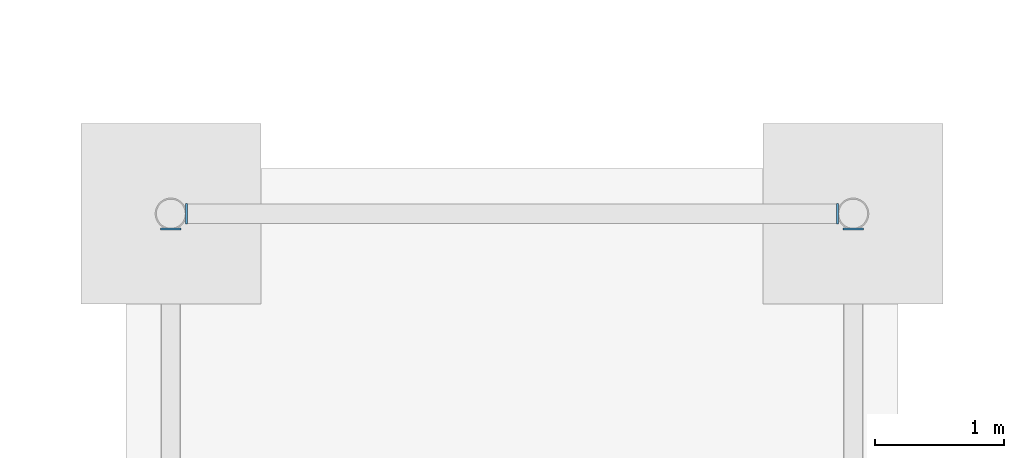
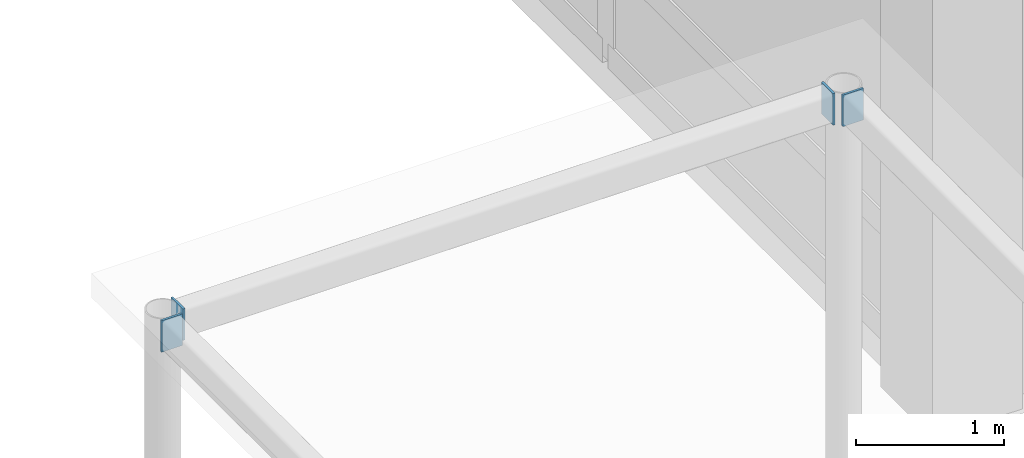
# One storey, part 42 of 76: 4 plates.
"""IFC4 building model written with IfcOpenShell, lengths in metres."""

from ifc_helpers import new_model, si_unit, direction, frame, origin, origin_2d, place, context, subcontext, project, spatial, rectangle, extrude, material, layer, layer_set, type_object, element, save


model = new_model("IFC4")

# Units and contexts
model_context = context("Model", 3, precision=1e-05, world=origin(), true_north=direction((0.0, 1.0)))
body_context = subcontext(model_context, "Body", "Model", "MODEL_VIEW")
ifc_project = project(units=[si_unit("LENGTHUNIT", "METRE"), si_unit("AREAUNIT", "SQUARE_METRE"), si_unit("VOLUMEUNIT", "CUBIC_METRE"), si_unit("PLANEANGLEUNIT", "RADIAN"), si_unit("MASSUNIT", "GRAM", prefix="KILO")], contexts=[model_context])

# Site, building, storey
site_placement = place(None, origin())
site = spatial("IfcSite", under=ifc_project, at=site_placement, CompositionType="ELEMENT")
building_placement = place(site_placement, origin())
building = spatial("IfcBuilding", under=site, at=building_placement, Name="Bozkorgan Art Gallery", CompositionType="ELEMENT")
storey_placement = place(building_placement, origin())
storey = spatial("IfcBuildingStorey", under=building, at=storey_placement, Name="L00", CompositionType="ELEMENT", Elevation=0.0)

# Plates
ifc_material = material(Name="Steel S355J2", Category="steel")
ifc_layer = layer(ifc_material, 0.01611328125, Name="Steel S355J2")
ifc_layer_set = layer_set([ifc_layer], Name="Steel S355J2")
plate_type = type_object("IfcPlateType", Name="PLATE-EC-14", PredefinedType="USERDEFINED", material=ifc_layer_set)
for number, where, z_axis, x_axis, name in (
    (1, (72.14990234375, 36.530029296875, 4.044921875), (0.0, 0.0, 1.0), (0.0, 1.0, 0.0), "West Water-Court Covered Walk chord end cap 2.2"),
    (2, (72.030029296875, 36.64990234375, 4.044921875), (0.0, 0.0, 1.0), (-1.0, 0.0, 0.0), "West Water-Court Covered Walk chord end cap 3.1"),
    (3, (66.969970703125, 36.64990234375, 4.044921875), (0.0, 0.0, 1.0), (-1.0, 0.0, 0.0), "West Water-Court Covered Walk chord end cap 3.2"),
    (4, (66.85009765625, 36.530029296875, 4.044921875), (0.0, 0.0, 1.0), (0.0, -1.0, 0.0), "West Water-Court Covered Walk chord end cap 4.1"),
):
    element("IfcPlate", number, at=place(storey_placement, frame(where, z_axis=z_axis, x_axis=x_axis)), inside=storey, type_object=plate_type, Name=name, ObjectType="END CAP PLATE", PredefinedType="USERDEFINED", context=body_context, shape_type="SweptSolid", body=[
        extrude(rectangle(XDim=0.01611328125, YDim=0.159912109375, at=origin_2d()), origin(), (0.0, 0.0, 1.0), 0.260009765625),
    ])

save(model, "model.ifc")
